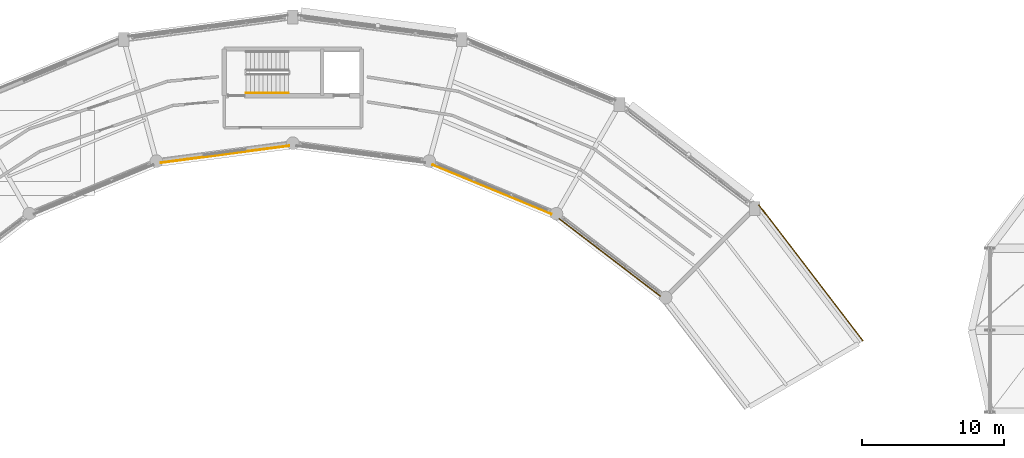
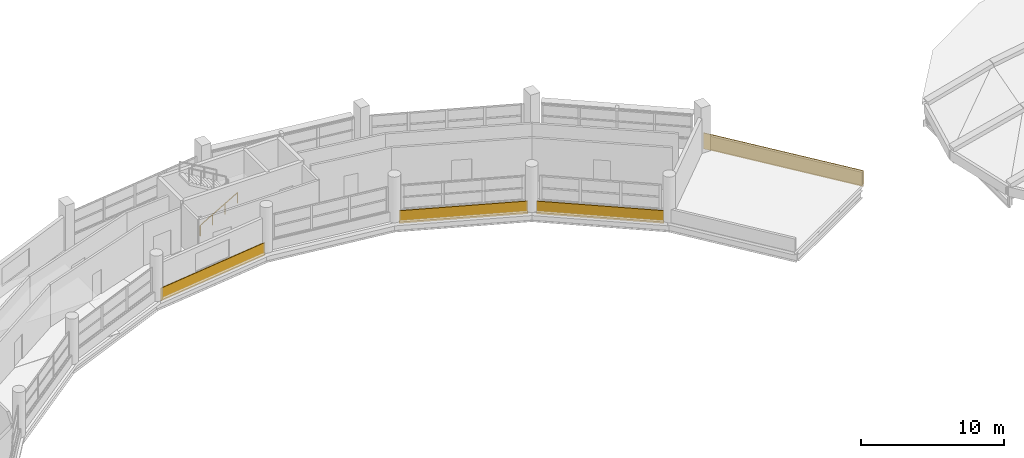
# One storey, part 86 of 88: 4 coverings, 1 railing.
"""IFC4 building model written with IfcOpenShell, lengths in metres."""

from ifc_helpers import new_model, si_unit, direction, frame, frame_2d, origin, origin_2d, place, context, subcontext, project, spatial, rectangle, circle, extrude, material, layer, layer_set, type_object, element, save


model = new_model("IFC4")

# Units and contexts
model_context = context("Model", 3, precision=1e-05, world=origin(), true_north=direction((0.0, 1.0)))
body_context = subcontext(model_context, "Body", "Model", "MODEL_VIEW")
ifc_project = project(units=[si_unit("LENGTHUNIT", "METRE"), si_unit("AREAUNIT", "SQUARE_METRE"), si_unit("VOLUMEUNIT", "CUBIC_METRE"), si_unit("PLANEANGLEUNIT", "RADIAN"), si_unit("MASSUNIT", "GRAM", prefix="KILO")], contexts=[model_context])

# Site, building, storey
site_placement = place(None, origin())
site = spatial("IfcSite", under=ifc_project, at=site_placement, CompositionType="ELEMENT")
building_placement = place(site_placement, origin())
building = spatial("IfcBuilding", under=site, at=building_placement, Name="Vespera Passage Community Centre", CompositionType="ELEMENT")
storey_placement = place(building_placement, frame((0.0, 0.0, 16.5)))
storey = spatial("IfcBuildingStorey", under=building, at=storey_placement, Name="L04", CompositionType="ELEMENT", Elevation=16.5)

# Coverings
ifc_material_1 = material(Name="Precast concrete f'c 40 MPa", Category="concrete")
ifc_layer = layer(ifc_material_1, 0.06005859375)
ifc_layer_set = layer_set([ifc_layer], Name="Precast concrete f'c 40 MPa")
covering_type = type_object("IfcCoveringType", Name="COV-CLAD-60E", PredefinedType="CLADDING", material=ifc_layer_set)
covering_1_placement = place(storey_placement, frame((103.9296875, 91.896484375, -0.280029296875), z_axis=(0.0, 0.0, 1.0), x_axis=(-0.793350132061, 0.608765610033, 0.0)))
element("IfcCovering", 1, at=covering_1_placement, inside=storey, type_object=covering_type, Name="V4 L04 Inner Court White Spandrel Band I3", PredefinedType="CLADDING", context=body_context, shape_type="SweptSolid", body=[
    extrude(rectangle(XDim=9.004638671875, YDim=0.06005859375, at=frame_2d((4.50244140625, 0.0))), origin(), (0.0, 0.0, 1.0), 1.10009765625),
])
covering_2_placement = place(storey_placement, frame((96.263916015625, 97.6875, -0.280029296875), z_axis=(0.0, 0.0, 1.0), x_axis=(-0.92387477551, 0.38269491658, 0.0)))
element("IfcCovering", 2, at=covering_2_placement, inside=storey, type_object=covering_type, Name="V4 L04 Inner Court White Spandrel Band I4", PredefinedType="CLADDING", context=body_context, shape_type="SweptSolid", body=[
    extrude(rectangle(XDim=9.11181640625, YDim=0.06005859375, at=frame_2d((4.555908203125, 0.0))), origin(), (0.0, 0.0, 1.0), 1.10009765625),
])
covering_3_placement = place(storey_placement, frame((77.7451171875, 102.510009765625, -0.280029296875), z_axis=(0.0, 0.0, 1.0), x_axis=(-0.99144567161, -0.13052003772, 0.0)))
element("IfcCovering", 3, at=covering_3_placement, inside=storey, type_object=covering_type, Name="V4 L04 Court White Sill Band I6", PredefinedType="CLADDING", context=body_context, shape_type="SweptSolid", body=[
    extrude(rectangle(XDim=9.15625, YDim=0.06005859375, at=frame_2d((4.578125, 0.0))), origin(), (0.0, 0.0, 1.0), 1.10009765625),
])
covering_4_placement = place(storey_placement, frame((118.243408203125, 88.754150390625, -0.239990234375), z_axis=(0.0, 0.0, 1.0), x_axis=(-0.608767399899, 0.79334875863, 0.0)))
element("IfcCovering", 4, at=covering_4_placement, inside=storey, type_object=covering_type, Name="V4 L04 Step Crown White Band 1.1", PredefinedType="CLADDING", context=body_context, shape_type="SweptSolid", body=[
    extrude(rectangle(XDim=12.099853515625, YDim=0.06005859375, at=frame_2d((6.0498046875, 0.0))), origin(), (0.0, 0.0, 1.0), 1.360107421875),
])

# Railing
ifc_material_2 = material(Name="Steel ASTM A500 Grade C", Category="steel")
railing_type = type_object("IfcRailingType", Name="RL-HAND-900I", PredefinedType="HANDRAIL", material=ifc_material_2)
railing_placement = place(storey_placement, frame((74.705078125, 106.25, 0.17724609375)))
element("IfcRailing", 5, at=railing_placement, inside=storey, type_object=railing_type, Name="L04 ST06 stair handrail 1", PredefinedType="HANDRAIL", context=body_context, shape_type="SweptSolid", body=[
    extrude(circle(Radius=0.02392578125, at=origin_2d()), frame((0.0, 0.0, 0.8759765625), z_axis=(0.86092931783, 0.0, 0.508724591208), x_axis=(0.0, 1.0, 0.0)), (0.0, 0.0, 1.0), 3.484619140625),
    extrude(circle(Radius=0.02099609375, at=origin_2d()), origin(), (0.0, 0.0, 1.0), 0.851806640625),
    extrude(circle(Radius=0.02099609375, at=origin_2d()), frame((1.0, 0.0, 0.5908203125)), (0.0, 0.0, 1.0), 0.851806640625),
    extrude(circle(Radius=0.02099609375, at=origin_2d()), frame((2.0, 0.0, 1.181884765625)), (0.0, 0.0, 1.0), 0.851806640625),
    extrude(circle(Radius=0.02099609375, at=origin_2d()), frame((3.0, 0.0, 1.772705078125)), (0.0, 0.0, 1.0), 0.851806640625),
])

save(model, "model.ifc")
